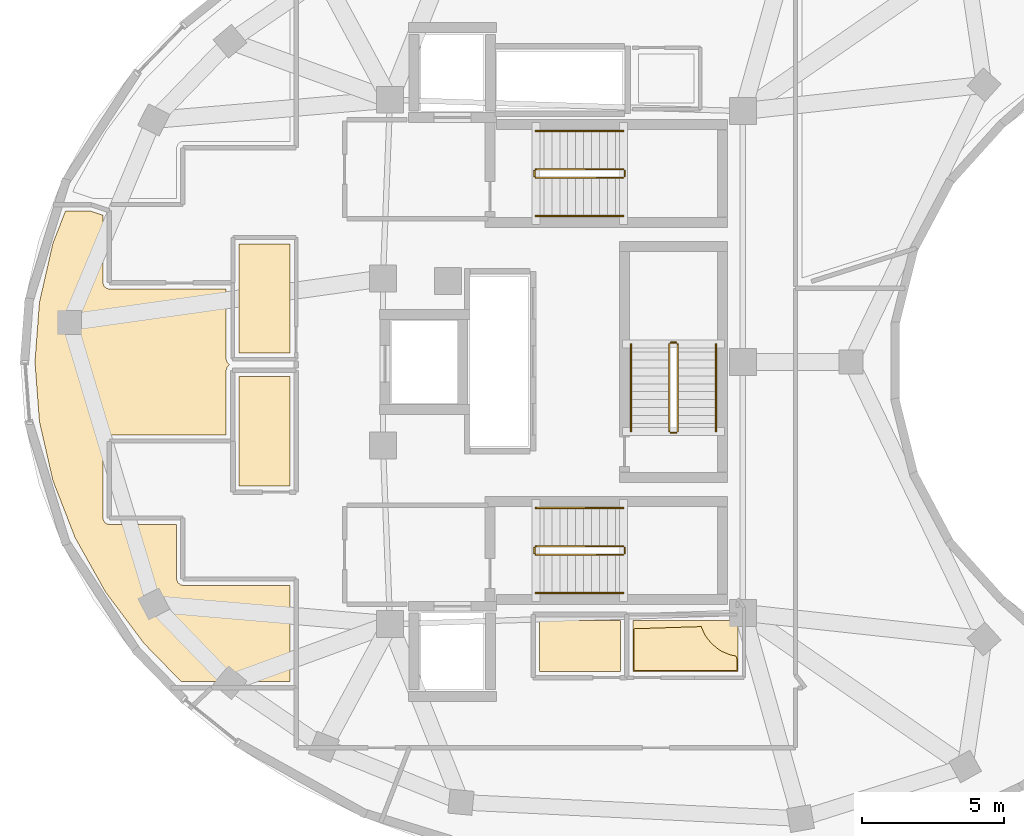
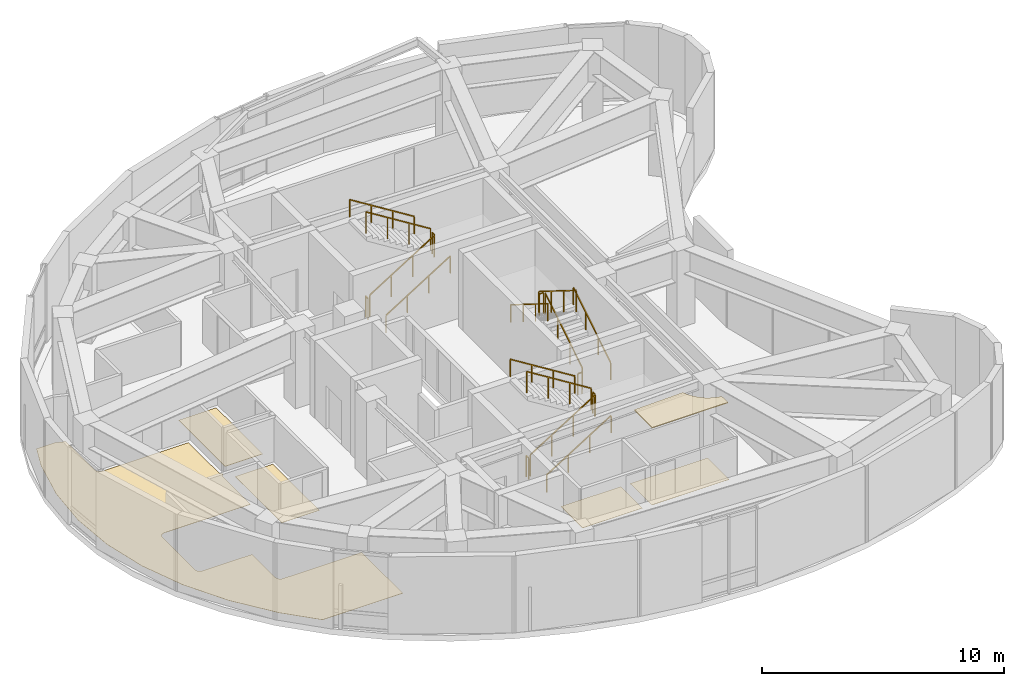
# One storey, part 7 of 8: 18 railings, 6 coverings.
"""IFC4 building model written with IfcOpenShell, lengths in metres."""

from ifc_helpers import new_model, si_unit, direction, frame, origin, origin_2d, place, context, subcontext, project, spatial, polyline, rectangle, outline, extrude, material, layer, layer_set, type_object, element, save


model = new_model("IFC4")

# Units and contexts
model_context = context("Model", 3, precision=1e-05, world=origin(), true_north=direction((0.0, 1.0)))
body_context = subcontext(model_context, "Body", "Model", "MODEL_VIEW")
ifc_project = project(units=[si_unit("LENGTHUNIT", "METRE"), si_unit("AREAUNIT", "SQUARE_METRE"), si_unit("VOLUMEUNIT", "CUBIC_METRE"), si_unit("PLANEANGLEUNIT", "RADIAN"), si_unit("MASSUNIT", "GRAM", prefix="KILO")], contexts=[model_context])

# Site, building, storey
site_placement = place(None, origin())
site = spatial("IfcSite", under=ifc_project, at=site_placement, CompositionType="ELEMENT")
building_placement = place(site_placement, origin())
building = spatial("IfcBuilding", under=site, at=building_placement, Name="Korentha Bioscience Tower", CompositionType="ELEMENT")
storey_placement = place(building_placement, frame((0.0, 0.0, 301.800048828125)))
storey = spatial("IfcBuildingStorey", under=building, at=storey_placement, Name="L69", CompositionType="ELEMENT", Elevation=301.800048828125)

# Covering
ifc_material_1 = material(Name="Vitrified Porcelain Tile", Category="ceramic")
ifc_layer_1 = layer(ifc_material_1, 0.014892578125, Name="Vitrified Porcelain Tile")
ifc_layer_set_1 = layer_set([ifc_layer_1], Name="Vitrified Porcelain Tile (FL-CER)")
covering_type_1 = type_object("IfcCoveringType", Name="Anti-Slip Ceramic Wet-Room Tile Flooring 15", PredefinedType="FLOORING", material=ifc_layer_set_1)
covering_1_placement = place(storey_placement, origin())
element("IfcCovering", 1, at=covering_1_placement, inside=storey, type_object=covering_type_1, Name="L69 Reclaimed Bank-2 Accessible Staff WC Floor Finish", PredefinedType="FLOORING", context=body_context, shape_type="SweptSolid", body=[
    extrude(outline(polyline([(19.77001953125, 27.320068359375), (19.780029296875, 31.169921875), (21.570068359375, 31.169921875), (21.570068359375, 27.320068359375), (19.77001953125, 27.320068359375)])), origin(), (0.0, 0.0, 1.0), 0.014892578125),
])

# Railings
ifc_material_2 = material(Name="Stainless Steel 304", Category="steel")
railing_type_1 = type_object("IfcRailingType", Name="Brushed Stainless Stair Handrail 900", PredefinedType="HANDRAIL", material=ifc_material_2)
railing_1_placement = place(storey_placement, frame((30.25, 32.14990234375, 0.175048828125)))
element("IfcRailing", 2, at=railing_1_placement, inside=storey, type_object=railing_type_1, Name="L69 ST-1 stair handrail 1", PredefinedType="HANDRAIL", context=body_context, shape_type="SweptSolid", body=[
    extrude(rectangle(XDim=0.048095703125, YDim=0.048095703125, at=origin_2d()), frame((0.0, 0.0, 0.8759765625), z_axis=(0.848028513186, 0.0, 0.529950602248), x_axis=(0.0, 1.0, 0.0)), (0.0, 0.0, 1.0), 3.632080078125),
    extrude(rectangle(XDim=0.0419921875, YDim=0.0419921875, at=origin_2d()), origin(), (0.0, 0.0, 1.0), 0.851806640625),
    extrude(rectangle(XDim=0.0419921875, YDim=0.0419921875, at=origin_2d()), frame((1.026611328125, 0.0, 0.6416015625)), (0.0, 0.0, 1.0), 0.851806640625),
    extrude(rectangle(XDim=0.0419921875, YDim=0.0419921875, at=origin_2d()), frame((2.053466796875, 0.0, 1.283203125)), (0.0, 0.0, 1.0), 0.851806640625),
    extrude(rectangle(XDim=0.0419921875, YDim=0.0419921875, at=origin_2d()), frame((3.080078125, 0.0, 1.9248046875)), (0.0, 0.0, 1.0), 0.851806640625),
])
railing_2_placement = place(storey_placement, frame((33.330078125, 35.14990234375, 2.27490234375)))
element("IfcRailing", 3, at=railing_2_placement, inside=storey, type_object=railing_type_1, Name="L69 ST-1 stair handrail 2", PredefinedType="HANDRAIL", context=body_context, shape_type="SweptSolid", body=[
    extrude(rectangle(XDim=0.048095703125, YDim=0.048095703125, at=origin_2d()), frame((0.0, 0.0, 0.8759765625), z_axis=(-0.847998304005, 0.0, 0.529998940003), x_axis=(0.0, -1.0, 0.0)), (0.0, 0.0, 1.0), 3.632080078125),
    extrude(rectangle(XDim=0.0419921875, YDim=0.0419921875, at=origin_2d()), origin(), (0.0, 0.0, 1.0), 0.851806640625),
    extrude(rectangle(XDim=0.0419921875, YDim=0.0419921875, at=origin_2d()), frame((-1.026611328125, 0.0, 0.6416015625)), (0.0, 0.0, 1.0), 0.851806640625),
    extrude(rectangle(XDim=0.0419921875, YDim=0.0419921875, at=origin_2d()), frame((-2.053466796875, 0.0, 1.283447265625)), (0.0, 0.0, 1.0), 0.851806640625),
    extrude(rectangle(XDim=0.0419921875, YDim=0.0419921875, at=origin_2d()), frame((-3.080078125, 0.0, 1.925048828125)), (0.0, 0.0, 1.0), 0.851806640625),
])
railing_3_placement = place(storey_placement, frame((30.25, 18.85009765625, 0.175048828125)))
element("IfcRailing", 4, at=railing_3_placement, inside=storey, type_object=railing_type_1, Name="L69 ST-2 stair handrail 1", PredefinedType="HANDRAIL", context=body_context, shape_type="SweptSolid", body=[
    extrude(rectangle(XDim=0.048095703125, YDim=0.048095703125, at=origin_2d()), frame((0.0, 0.0, 0.8759765625), z_axis=(0.848028513186, 0.0, 0.529950602248), x_axis=(0.0, 1.0, 0.0)), (0.0, 0.0, 1.0), 3.632080078125),
    extrude(rectangle(XDim=0.0419921875, YDim=0.0419921875, at=origin_2d()), origin(), (0.0, 0.0, 1.0), 0.851806640625),
    extrude(rectangle(XDim=0.0419921875, YDim=0.0419921875, at=origin_2d()), frame((1.026611328125, 0.0, 0.6416015625)), (0.0, 0.0, 1.0), 0.851806640625),
    extrude(rectangle(XDim=0.0419921875, YDim=0.0419921875, at=origin_2d()), frame((2.053466796875, 0.0, 1.283203125)), (0.0, 0.0, 1.0), 0.851806640625),
    extrude(rectangle(XDim=0.0419921875, YDim=0.0419921875, at=origin_2d()), frame((3.080078125, 0.0, 1.9248046875)), (0.0, 0.0, 1.0), 0.851806640625),
])
railing_4_placement = place(storey_placement, frame((33.330078125, 21.85009765625, 2.27490234375)))
element("IfcRailing", 5, at=railing_4_placement, inside=storey, type_object=railing_type_1, Name="L69 ST-2 stair handrail 2", PredefinedType="HANDRAIL", context=body_context, shape_type="SweptSolid", body=[
    extrude(rectangle(XDim=0.048095703125, YDim=0.048095703125, at=origin_2d()), frame((0.0, 0.0, 0.8759765625), z_axis=(-0.847998304005, 0.0, 0.529998940003), x_axis=(0.0, -1.0, 0.0)), (0.0, 0.0, 1.0), 3.632080078125),
    extrude(rectangle(XDim=0.0419921875, YDim=0.0419921875, at=origin_2d()), origin(), (0.0, 0.0, 1.0), 0.851806640625),
    extrude(rectangle(XDim=0.0419921875, YDim=0.0419921875, at=origin_2d()), frame((-1.026611328125, 0.0, 0.6416015625)), (0.0, 0.0, 1.0), 0.851806640625),
    extrude(rectangle(XDim=0.0419921875, YDim=0.0419921875, at=origin_2d()), frame((-2.053466796875, 0.0, 1.283447265625)), (0.0, 0.0, 1.0), 0.851806640625),
    extrude(rectangle(XDim=0.0419921875, YDim=0.0419921875, at=origin_2d()), frame((-3.080078125, 0.0, 1.925048828125)), (0.0, 0.0, 1.0), 0.851806640625),
])
railing_5_placement = place(storey_placement, frame((36.60009765625, 24.550048828125, 0.175048828125)))
element("IfcRailing", 6, at=railing_5_placement, inside=storey, type_object=railing_type_1, Name="L69 ST-3 stair handrail 1", PredefinedType="HANDRAIL", context=body_context, shape_type="SweptSolid", body=[
    extrude(rectangle(XDim=0.048095703125, YDim=0.048095703125, at=origin_2d()), frame((0.0, 0.0, 0.8759765625), z_axis=(0.0, 0.848009633417, 0.529980812513), x_axis=(-1.0, 0.0, 0.0)), (0.0, 0.0, 1.0), 3.6318359375),
    extrude(rectangle(XDim=0.0419921875, YDim=0.0419921875, at=origin_2d()), origin(), (0.0, 0.0, 1.0), 0.851806640625),
    extrude(rectangle(XDim=0.0419921875, YDim=0.0419921875, at=origin_2d()), frame((0.0, 1.026611328125, 0.6416015625)), (0.0, 0.0, 1.0), 0.851806640625),
    extrude(rectangle(XDim=0.0419921875, YDim=0.0419921875, at=origin_2d()), frame((0.0, 2.05322265625, 1.283203125)), (0.0, 0.0, 1.0), 0.851806640625),
    extrude(rectangle(XDim=0.0419921875, YDim=0.0419921875, at=origin_2d()), frame((0.0, 3.079833984375, 1.9248046875)), (0.0, 0.0, 1.0), 0.851806640625),
])
railing_6_placement = place(storey_placement, frame((33.60009765625, 27.6298828125, 2.27490234375)))
element("IfcRailing", 7, at=railing_6_placement, inside=storey, type_object=railing_type_1, Name="L69 ST-3 stair handrail 2", PredefinedType="HANDRAIL", context=body_context, shape_type="SweptSolid", body=[
    extrude(rectangle(XDim=0.048095703125, YDim=0.048095703125, at=origin_2d()), frame((0.0, 0.0, 0.8759765625), z_axis=(0.0, -0.847979421464, 0.530029150871), x_axis=(1.0, 0.0, 0.0)), (0.0, 0.0, 1.0), 3.632080078125),
    extrude(rectangle(XDim=0.0419921875, YDim=0.0419921875, at=origin_2d()), origin(), (0.0, 0.0, 1.0), 0.851806640625),
    extrude(rectangle(XDim=0.0419921875, YDim=0.0419921875, at=origin_2d()), frame((0.0, -1.026611328125, 0.6416015625)), (0.0, 0.0, 1.0), 0.851806640625),
    extrude(rectangle(XDim=0.0419921875, YDim=0.0419921875, at=origin_2d()), frame((0.0, -2.05322265625, 1.283447265625)), (0.0, 0.0, 1.0), 0.851806640625),
    extrude(rectangle(XDim=0.0419921875, YDim=0.0419921875, at=origin_2d()), frame((0.0, -3.079833984375, 1.925048828125)), (0.0, 0.0, 1.0), 0.851806640625),
])

# Covering
ifc_material_3 = material(Name="Antimicrobial Mineral Fibre Board", Category="gypsum")
ifc_layer_2 = layer(ifc_material_3, 0.034912109375, Name="Antimicrobial Mineral Fibre Board")
ifc_layer_set_2 = layer_set([ifc_layer_2], Name="Antimicrobial Mineral Fibre Board (CL-MF35)")
covering_type_2 = type_object("IfcCoveringType", Name="Mineral-Fibre Cleanroom Suspended Ceiling 35", PredefinedType="CEILING", material=ifc_layer_set_2)
covering_2_placement = place(storey_placement, frame((0.0, 0.0, 3.864990234375)))
element("IfcCovering", 8, at=covering_2_placement, inside=storey, type_object=covering_type_2, Name="L69 Research Colloquium Seminar Room 03 Acoustic Ceiling", PredefinedType="CEILING", context=body_context, shape_type="SweptSolid", body=[
    extrude(outline(polyline([(33.7099609375, 16.110107421875), (33.7099609375, 17.58642578125), (36.080078125, 17.66259765625), (36.18310546875, 17.419189453125), (36.26123046875, 17.288818359375), (36.4541015625, 17.053955078125), (36.68896484375, 16.861083984375), (36.8193359375, 16.782958984375), (37.10009765625, 16.666748046875), (37.30810546875, 16.620849609375), (37.340087890625, 16.5068359375), (37.340087890625, 16.110107421875), (33.7099609375, 16.110107421875)])), origin(), (0.0, 0.0, 1.0), 0.034912109375),
])

# Railings
ifc_material_4 = material(Name="Painted Steel S275", Category="steel")
railing_type_2 = type_object("IfcRailingType", Name="Painted Steel Stair Well Guardrail 1100", PredefinedType="GUARDRAIL", material=ifc_material_4)
railing_7_placement = place(storey_placement, frame((30.25, 33.5, 0.175048828125)))
element("IfcRailing", 9, at=railing_7_placement, inside=storey, type_object=railing_type_2, Name="L69 ST-1 stair guard 1", PredefinedType="GUARDRAIL", context=body_context, shape_type="SweptSolid", body=[
    extrude(rectangle(XDim=0.048095703125, YDim=0.048095703125, at=origin_2d()), frame((0.0, 0.0, 1.076171875), z_axis=(0.848028513186, 0.0, 0.529950602248), x_axis=(0.0, 1.0, 0.0)), (0.0, 0.0, 1.0), 3.632080078125),
    extrude(rectangle(XDim=0.0419921875, YDim=0.0419921875, at=origin_2d()), origin(), (0.0, 0.0, 1.0), 1.052001953125),
    extrude(rectangle(XDim=0.0419921875, YDim=0.0419921875, at=origin_2d()), frame((1.026611328125, 0.0, 0.6416015625)), (0.0, 0.0, 1.0), 1.052001953125),
    extrude(rectangle(XDim=0.0419921875, YDim=0.0419921875, at=origin_2d()), frame((2.053466796875, 0.0, 1.283203125)), (0.0, 0.0, 1.0), 1.052001953125),
    extrude(rectangle(XDim=0.0419921875, YDim=0.0419921875, at=origin_2d()), frame((3.080078125, 0.0, 1.9248046875)), (0.0, 0.0, 1.0), 1.052001953125),
])
railing_8_placement = place(storey_placement, frame((33.3798828125, 33.550048828125, 2.099853515625)))
element("IfcRailing", 10, at=railing_8_placement, inside=storey, type_object=railing_type_2, Name="L69 ST-1 stair guard 2", PredefinedType="GUARDRAIL", context=body_context, shape_type="SweptSolid", body=[
    extrude(rectangle(XDim=0.048095703125, YDim=0.048095703125, at=origin_2d()), frame((0.0, 0.0, 1.076171875), z_axis=(0.0, 1.0, 0.0), x_axis=(-1.0, 0.0, 0.0)), (0.0, 0.0, 1.0), 0.199951171875),
    extrude(rectangle(XDim=0.0419921875, YDim=0.0419921875, at=origin_2d()), origin(), (0.0, 0.0, 1.0), 1.052001953125),
    extrude(rectangle(XDim=0.0419921875, YDim=0.0419921875, at=origin_2d()), frame((0.0, 0.199951171875, 0.0)), (0.0, 0.0, 1.0), 1.052001953125),
])
railing_9_placement = place(storey_placement, frame((33.330078125, 33.800048828125, 2.27490234375)))
element("IfcRailing", 11, at=railing_9_placement, inside=storey, type_object=railing_type_2, Name="L69 ST-1 stair guard 3", PredefinedType="GUARDRAIL", context=body_context, shape_type="SweptSolid", body=[
    extrude(rectangle(XDim=0.048095703125, YDim=0.048095703125, at=origin_2d()), frame((0.0, 0.0, 1.076171875), z_axis=(-0.847998304005, 0.0, 0.529998940003), x_axis=(0.0, -1.0, 0.0)), (0.0, 0.0, 1.0), 3.632080078125),
    extrude(rectangle(XDim=0.0419921875, YDim=0.0419921875, at=origin_2d()), origin(), (0.0, 0.0, 1.0), 1.052001953125),
    extrude(rectangle(XDim=0.0419921875, YDim=0.0419921875, at=origin_2d()), frame((-1.026611328125, 0.0, 0.6416015625)), (0.0, 0.0, 1.0), 1.052001953125),
    extrude(rectangle(XDim=0.0419921875, YDim=0.0419921875, at=origin_2d()), frame((-2.053466796875, 0.0, 1.283447265625)), (0.0, 0.0, 1.0), 1.052001953125),
    extrude(rectangle(XDim=0.0419921875, YDim=0.0419921875, at=origin_2d()), frame((-3.080078125, 0.0, 1.925048828125)), (0.0, 0.0, 1.0), 1.052001953125),
])
railing_10_placement = place(storey_placement, frame((30.199951171875, 33.550048828125, 0.0)))
element("IfcRailing", 12, at=railing_10_placement, inside=storey, type_object=railing_type_2, Name="L69 ST-1 stair guard 4", PredefinedType="GUARDRAIL", context=body_context, shape_type="SweptSolid", body=[
    extrude(rectangle(XDim=0.048095703125, YDim=0.048095703125, at=origin_2d()), frame((0.0, 0.0, 1.076171875), z_axis=(0.0, 1.0, 0.0), x_axis=(-1.0, 0.0, 0.0)), (0.0, 0.0, 1.0), 0.199951171875),
    extrude(rectangle(XDim=0.0419921875, YDim=0.0419921875, at=origin_2d()), origin(), (0.0, 0.0, 1.0), 1.052001953125),
    extrude(rectangle(XDim=0.0419921875, YDim=0.0419921875, at=origin_2d()), frame((0.0, 0.199951171875, 0.0)), (0.0, 0.0, 1.0), 1.052001953125),
])
railing_11_placement = place(storey_placement, frame((30.25, 20.199951171875, 0.175048828125)))
element("IfcRailing", 13, at=railing_11_placement, inside=storey, type_object=railing_type_2, Name="L69 ST-2 stair guard 1", PredefinedType="GUARDRAIL", context=body_context, shape_type="SweptSolid", body=[
    extrude(rectangle(XDim=0.048095703125, YDim=0.048095703125, at=origin_2d()), frame((0.0, 0.0, 1.076171875), z_axis=(0.848028513186, 0.0, 0.529950602248), x_axis=(0.0, 1.0, 0.0)), (0.0, 0.0, 1.0), 3.632080078125),
    extrude(rectangle(XDim=0.0419921875, YDim=0.0419921875, at=origin_2d()), origin(), (0.0, 0.0, 1.0), 1.052001953125),
    extrude(rectangle(XDim=0.0419921875, YDim=0.0419921875, at=origin_2d()), frame((1.026611328125, 0.0, 0.6416015625)), (0.0, 0.0, 1.0), 1.052001953125),
    extrude(rectangle(XDim=0.0419921875, YDim=0.0419921875, at=origin_2d()), frame((2.053466796875, 0.0, 1.283203125)), (0.0, 0.0, 1.0), 1.052001953125),
    extrude(rectangle(XDim=0.0419921875, YDim=0.0419921875, at=origin_2d()), frame((3.080078125, 0.0, 1.9248046875)), (0.0, 0.0, 1.0), 1.052001953125),
])
railing_12_placement = place(storey_placement, frame((33.3798828125, 20.25, 2.099853515625)))
element("IfcRailing", 14, at=railing_12_placement, inside=storey, type_object=railing_type_2, Name="L69 ST-2 stair guard 2", PredefinedType="GUARDRAIL", context=body_context, shape_type="SweptSolid", body=[
    extrude(rectangle(XDim=0.048095703125, YDim=0.048095703125, at=origin_2d()), frame((0.0, 0.0, 1.076171875), z_axis=(0.0, 1.0, 0.0), x_axis=(-1.0, 0.0, 0.0)), (0.0, 0.0, 1.0), 0.199951171875),
    extrude(rectangle(XDim=0.0419921875, YDim=0.0419921875, at=origin_2d()), origin(), (0.0, 0.0, 1.0), 1.052001953125),
    extrude(rectangle(XDim=0.0419921875, YDim=0.0419921875, at=origin_2d()), frame((0.0, 0.199951171875, 0.0)), (0.0, 0.0, 1.0), 1.052001953125),
])
railing_13_placement = place(storey_placement, frame((33.330078125, 20.5, 2.27490234375)))
element("IfcRailing", 15, at=railing_13_placement, inside=storey, type_object=railing_type_2, Name="L69 ST-2 stair guard 3", PredefinedType="GUARDRAIL", context=body_context, shape_type="SweptSolid", body=[
    extrude(rectangle(XDim=0.048095703125, YDim=0.048095703125, at=origin_2d()), frame((0.0, 0.0, 1.076171875), z_axis=(-0.847998304005, 0.0, 0.529998940003), x_axis=(0.0, -1.0, 0.0)), (0.0, 0.0, 1.0), 3.632080078125),
    extrude(rectangle(XDim=0.0419921875, YDim=0.0419921875, at=origin_2d()), origin(), (0.0, 0.0, 1.0), 1.052001953125),
    extrude(rectangle(XDim=0.0419921875, YDim=0.0419921875, at=origin_2d()), frame((-1.026611328125, 0.0, 0.6416015625)), (0.0, 0.0, 1.0), 1.052001953125),
    extrude(rectangle(XDim=0.0419921875, YDim=0.0419921875, at=origin_2d()), frame((-2.053466796875, 0.0, 1.283447265625)), (0.0, 0.0, 1.0), 1.052001953125),
    extrude(rectangle(XDim=0.0419921875, YDim=0.0419921875, at=origin_2d()), frame((-3.080078125, 0.0, 1.925048828125)), (0.0, 0.0, 1.0), 1.052001953125),
])
railing_14_placement = place(storey_placement, frame((30.199951171875, 20.25, 0.0)))
element("IfcRailing", 16, at=railing_14_placement, inside=storey, type_object=railing_type_2, Name="L69 ST-2 stair guard 4", PredefinedType="GUARDRAIL", context=body_context, shape_type="SweptSolid", body=[
    extrude(rectangle(XDim=0.048095703125, YDim=0.048095703125, at=origin_2d()), frame((0.0, 0.0, 1.076171875), z_axis=(0.0, 1.0, 0.0), x_axis=(-1.0, 0.0, 0.0)), (0.0, 0.0, 1.0), 0.199951171875),
    extrude(rectangle(XDim=0.0419921875, YDim=0.0419921875, at=origin_2d()), origin(), (0.0, 0.0, 1.0), 1.052001953125),
    extrude(rectangle(XDim=0.0419921875, YDim=0.0419921875, at=origin_2d()), frame((0.0, 0.199951171875, 0.0)), (0.0, 0.0, 1.0), 1.052001953125),
])
railing_15_placement = place(storey_placement, frame((35.25, 24.550048828125, 0.175048828125)))
element("IfcRailing", 17, at=railing_15_placement, inside=storey, type_object=railing_type_2, Name="L69 ST-3 stair guard 1", PredefinedType="GUARDRAIL", context=body_context, shape_type="SweptSolid", body=[
    extrude(rectangle(XDim=0.048095703125, YDim=0.048095703125, at=origin_2d()), frame((0.0, 0.0, 1.076171875), z_axis=(0.0, 0.848009633417, 0.529980812513), x_axis=(-1.0, 0.0, 0.0)), (0.0, 0.0, 1.0), 3.6318359375),
    extrude(rectangle(XDim=0.0419921875, YDim=0.0419921875, at=origin_2d()), origin(), (0.0, 0.0, 1.0), 1.052001953125),
    extrude(rectangle(XDim=0.0419921875, YDim=0.0419921875, at=origin_2d()), frame((0.0, 1.026611328125, 0.6416015625)), (0.0, 0.0, 1.0), 1.052001953125),
    extrude(rectangle(XDim=0.0419921875, YDim=0.0419921875, at=origin_2d()), frame((0.0, 2.05322265625, 1.283203125)), (0.0, 0.0, 1.0), 1.052001953125),
    extrude(rectangle(XDim=0.0419921875, YDim=0.0419921875, at=origin_2d()), frame((0.0, 3.079833984375, 1.9248046875)), (0.0, 0.0, 1.0), 1.052001953125),
])
railing_16_placement = place(storey_placement, frame((35.199951171875, 27.679931640625, 2.099853515625)))
element("IfcRailing", 18, at=railing_16_placement, inside=storey, type_object=railing_type_2, Name="L69 ST-3 stair guard 2", PredefinedType="GUARDRAIL", context=body_context, shape_type="SweptSolid", body=[
    extrude(rectangle(XDim=0.048095703125, YDim=0.048095703125, at=origin_2d()), frame((0.0, 0.0, 1.076171875), z_axis=(-1.0, 0.0, 0.0), x_axis=(0.0, -1.0, 0.0)), (0.0, 0.0, 1.0), 0.199951171875),
    extrude(rectangle(XDim=0.0419921875, YDim=0.0419921875, at=origin_2d()), origin(), (0.0, 0.0, 1.0), 1.052001953125),
    extrude(rectangle(XDim=0.0419921875, YDim=0.0419921875, at=origin_2d()), frame((-0.199951171875, 0.0, 0.0)), (0.0, 0.0, 1.0), 1.052001953125),
])
railing_17_placement = place(storey_placement, frame((34.949951171875, 27.6298828125, 2.27490234375)))
element("IfcRailing", 19, at=railing_17_placement, inside=storey, type_object=railing_type_2, Name="L69 ST-3 stair guard 3", PredefinedType="GUARDRAIL", context=body_context, shape_type="SweptSolid", body=[
    extrude(rectangle(XDim=0.048095703125, YDim=0.048095703125, at=origin_2d()), frame((0.0, 0.0, 1.076171875), z_axis=(0.0, -0.847979421464, 0.530029150871), x_axis=(1.0, 0.0, 0.0)), (0.0, 0.0, 1.0), 3.632080078125),
    extrude(rectangle(XDim=0.0419921875, YDim=0.0419921875, at=origin_2d()), origin(), (0.0, 0.0, 1.0), 1.052001953125),
    extrude(rectangle(XDim=0.0419921875, YDim=0.0419921875, at=origin_2d()), frame((0.0, -1.026611328125, 0.6416015625)), (0.0, 0.0, 1.0), 1.052001953125),
    extrude(rectangle(XDim=0.0419921875, YDim=0.0419921875, at=origin_2d()), frame((0.0, -2.05322265625, 1.283447265625)), (0.0, 0.0, 1.0), 1.052001953125),
    extrude(rectangle(XDim=0.0419921875, YDim=0.0419921875, at=origin_2d()), frame((0.0, -3.079833984375, 1.925048828125)), (0.0, 0.0, 1.0), 1.052001953125),
])
railing_18_placement = place(storey_placement, frame((35.199951171875, 24.5, 0.0)))
element("IfcRailing", 20, at=railing_18_placement, inside=storey, type_object=railing_type_2, Name="L69 ST-3 stair guard 4", PredefinedType="GUARDRAIL", context=body_context, shape_type="SweptSolid", body=[
    extrude(rectangle(XDim=0.048095703125, YDim=0.048095703125, at=origin_2d()), frame((0.0, 0.0, 1.076171875), z_axis=(-1.0, 0.0, 0.0), x_axis=(0.0, -1.0, 0.0)), (0.0, 0.0, 1.0), 0.199951171875),
    extrude(rectangle(XDim=0.0419921875, YDim=0.0419921875, at=origin_2d()), origin(), (0.0, 0.0, 1.0), 1.052001953125),
    extrude(rectangle(XDim=0.0419921875, YDim=0.0419921875, at=origin_2d()), frame((-0.199951171875, 0.0, 0.0)), (0.0, 0.0, 1.0), 1.052001953125),
])

# Coverings
ifc_material_5 = material(Name="Chemical-Resistant Epoxy Resin", Category="polymer")
ifc_layer_3 = layer(ifc_material_5, 0.011962890625, Name="Chemical-Resistant Epoxy Resin")
ifc_layer_set_3 = layer_set([ifc_layer_3], Name="Chemical-Resistant Epoxy Resin (FL-EPX)")
covering_type_3 = type_object("IfcCoveringType", Name="Seamless Epoxy Laboratory Flooring 12", PredefinedType="FLOORING", material=ifc_layer_set_3)
covering_3_placement = place(storey_placement, origin())
element("IfcCovering", 21, at=covering_3_placement, inside=storey, type_object=covering_type_3, Name="L69 Core Instrumentation and Gas Store Floor Finish", PredefinedType="FLOORING", context=body_context, shape_type="SweptSolid", body=[
    extrude(outline(polyline([(30.3701171875, 16.080078125), (30.3701171875, 17.8701171875), (33.22998046875, 17.8701171875), (33.22998046875, 16.080078125), (30.3701171875, 16.080078125)])), origin(), (0.0, 0.0, 1.0), 0.011962890625),
])
covering_4_placement = place(storey_placement, origin())
element("IfcCovering", 22, at=covering_4_placement, inside=storey, type_object=covering_type_3, Name="L69 Reclaimed Bank-2 Electrical Switchgear Store Floor Finish", PredefinedType="FLOORING", context=body_context, shape_type="SweptSolid", body=[
    extrude(outline(polyline([(21.570068359375, 22.6298828125), (19.780029296875, 22.6298828125), (19.77099609375, 26.47998046875), (21.570068359375, 26.47998046875), (21.570068359375, 22.6298828125)])), origin(), (0.0, 0.0, 1.0), 0.011962890625),
])
covering_5_placement = place(storey_placement, origin())
element("IfcCovering", 23, at=covering_5_placement, inside=storey, type_object=covering_type_3, Name="L69 Biomechanical Motion Analysis Lab 01 Floor Finish", PredefinedType="FLOORING", context=body_context, shape_type="SweptSolid", body=[
    extrude(outline(polyline([(12.730712890625, 24.896484375), (12.572509765625, 27.0), (12.730712890625, 29.103271484375), (13.2041015625, 31.177978515625), (13.650146484375, 32.327880859375), (14.523681640625, 32.327880859375), (14.969970703125, 32.177490234375), (14.97021484375, 29.7880859375), (15.0029296875, 29.681396484375), (15.101318359375, 29.59228515625), (15.199951171875, 29.570068359375), (19.320068359375, 29.570068359375), (19.3203125, 27.089111328125), (19.35302734375, 26.981201171875), (19.436767578125, 26.89990234375), (19.35302734375, 26.818603515625), (19.3203125, 26.710693359375), (19.320068359375, 24.429931640625), (15.199951171875, 24.429931640625), (15.0634765625, 24.385009765625), (15.00244140625, 24.31787109375), (14.97021484375, 24.210693359375), (14.97265625, 21.4658203125), (15.00244140625, 21.382080078125), (15.0458984375, 21.329345703125), (15.10205078125, 21.2919921875), (15.188232421875, 21.270263671875), (17.570068359375, 21.27001953125), (17.5703125, 19.338134765625), (17.615478515625, 19.212646484375), (17.722900390625, 19.13330078125), (17.800048828125, 19.1201171875), (21.570068359375, 19.1201171875), (21.570068359375, 15.721923828125), (17.732666015625, 15.72216796875), (16.435546875, 17.05419921875), (15.068603515625, 18.872314453125), (13.98681640625, 20.80419921875), (13.2041015625, 22.82177734375), (12.730712890625, 24.896484375)])), origin(), (0.0, 0.0, 1.0), 0.011962890625),
])
covering_6_placement = place(storey_placement, origin())
element("IfcCovering", 24, at=covering_6_placement, inside=storey, type_object=covering_type_3, Name="L69 Research Colloquium Seminar Room 03 Floor Finish", PredefinedType="FLOORING", context=body_context, shape_type="SweptSolid", body=[
    extrude(outline(polyline([(37.3701171875, 16.080078125), (33.679931640625, 16.080078125), (33.679931640625, 17.8701171875), (37.3701171875, 17.87109375), (37.3701171875, 16.080078125)])), origin(), (0.0, 0.0, 1.0), 0.011962890625),
])

save(model, "model.ifc")
